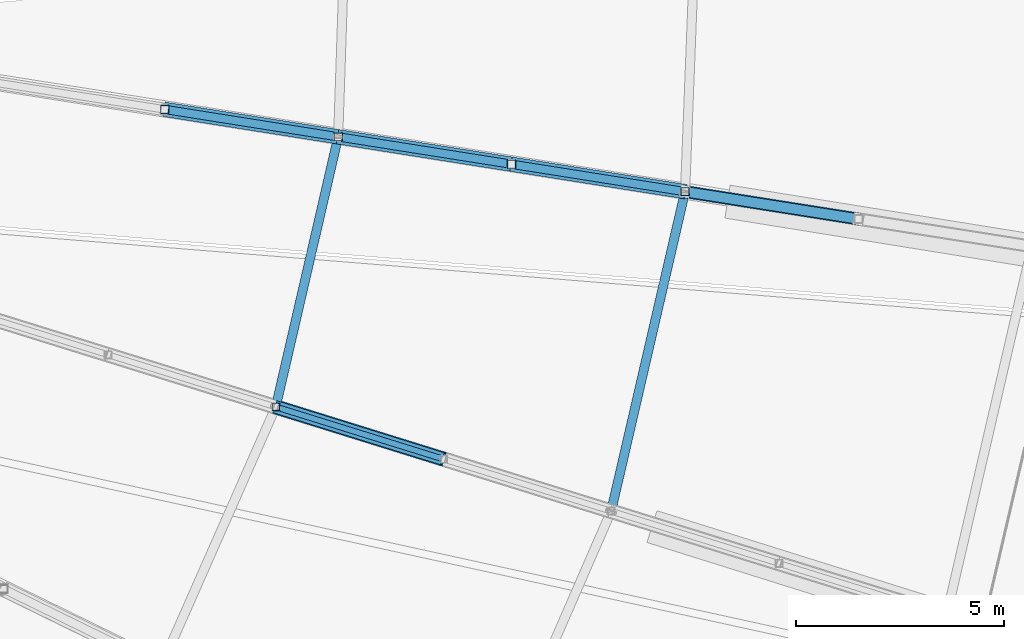
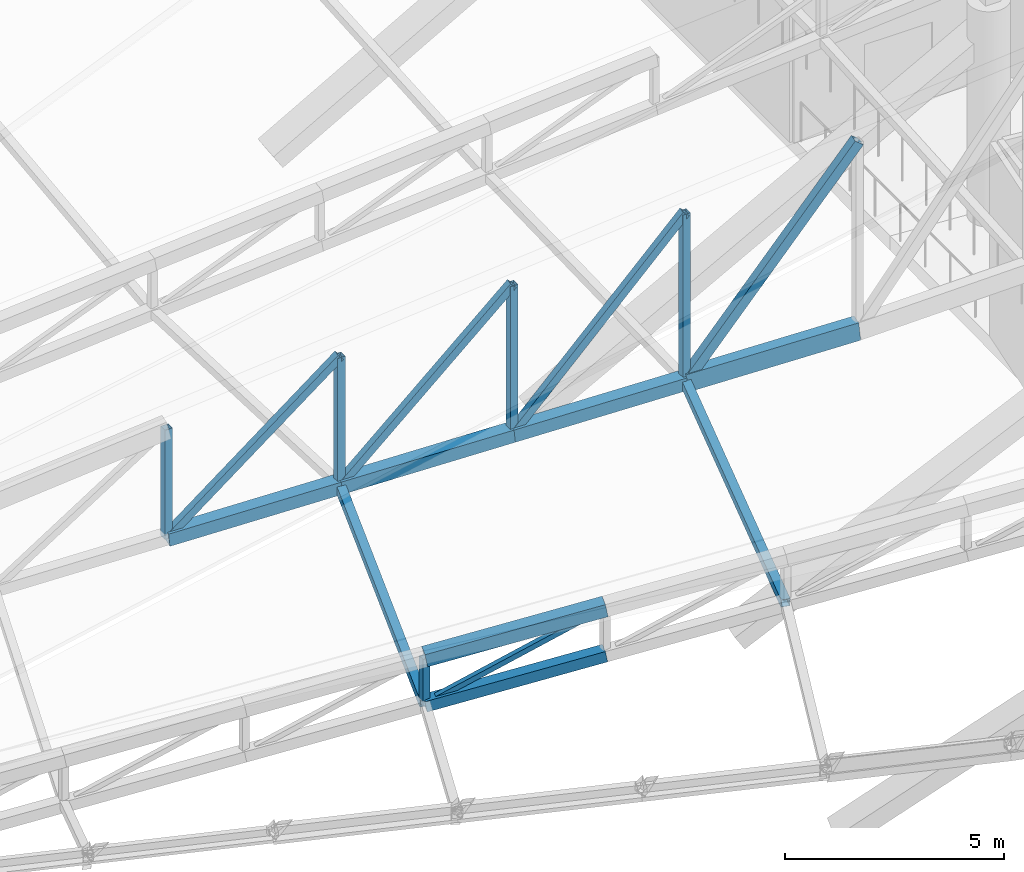
# One storey, part 91 of 344: 18 members.
"""IFC4 building model written with IfcOpenShell, lengths in metres."""

from ifc_helpers import new_model, si_unit, direction, frame, origin, origin_2d, place, context, subcontext, project, spatial, hollow_rectangle, extrude, material, material_profile, profile_set, type_object, element, save


model = new_model("IFC4")

# Units and contexts
model_context = context("Model", 3, precision=1e-05, world=origin(), true_north=direction((0.0, 1.0)))
body_context = subcontext(model_context, "Body", "Model", "MODEL_VIEW")
ifc_project = project(units=[si_unit("LENGTHUNIT", "METRE"), si_unit("AREAUNIT", "SQUARE_METRE"), si_unit("VOLUMEUNIT", "CUBIC_METRE"), si_unit("PLANEANGLEUNIT", "RADIAN"), si_unit("MASSUNIT", "GRAM", prefix="KILO")], contexts=[model_context])

# Site, building, storey
site_placement = place(None, origin())
site = spatial("IfcSite", under=ifc_project, at=site_placement, CompositionType="ELEMENT")
building_placement = place(site_placement, origin())
building = spatial("IfcBuilding", under=site, at=building_placement, Name="Meseta Stadium", CompositionType="ELEMENT")
storey_placement = place(building_placement, frame((0.0, 0.0, 24.0)))
storey = spatial("IfcBuildingStorey", under=building, at=storey_placement, Name="L04", CompositionType="ELEMENT", Elevation=24.0)

# Members
ifc_material_1 = material(Name="Steel S355", Category="steel")
ifc_material_profile_1 = material_profile(ifc_material_1, hollow_rectangle(XDim=0.300048828125, YDim=0.5, WallThickness=0.01611328125, at=origin_2d()), Name="RHS 500x300x16")
ifc_profile_set_1 = profile_set([ifc_material_profile_1], Name="Steel S355")
member_type_1 = type_object("IfcMemberType", Name="RHS 500x300x16 bottom chord", PredefinedType="CHORD", material=ifc_profile_set_1)
member_1_placement = place(storey_placement, frame((71.85205078125, -51.588134765625, 5.181884765625), z_axis=(0.98356338082, -0.155463126579, 0.091838402553), x_axis=(0.15612291387, 0.987737635086, 0.0)))
element("IfcMember", 1, at=member_1_placement, inside=storey, type_object=member_type_1, Name="ROOF TRUSS RT-00 bottom chord", PredefinedType="CHORD", context=body_context, shape_type="SweptSolid", body=[
    extrude(hollow_rectangle(XDim=0.300048828125, YDim=0.5, WallThickness=0.01611328125, at=origin_2d()), origin(), (0.0, 0.0, 1.0), 4.239990234375),
])
ifc_material_2 = material(Name="Steel S355", Category="steel")
ifc_material_profile_2 = material_profile(ifc_material_2, hollow_rectangle(XDim=0.139892578125, YDim=0.139892578125, WallThickness=0.0048828125, at=origin_2d()), Name="SHS 140x140x5")
ifc_profile_set_2 = profile_set([ifc_material_profile_2], Name="Steel S355")
member_type_2 = type_object("IfcMemberType", Name="SHS 140x140x5 diagonal", PredefinedType="BRACE", material=ifc_profile_set_2)
member_2_placement = place(storey_placement, frame((62.010498046875, -56.7646484375, 2.763916015625), z_axis=(0.859278691546, -0.267243269939, 0.436143514142), x_axis=(0.296977513201, 0.954884472935, 0.0)))
element("IfcMember", 2, at=member_2_placement, inside=storey, type_object=member_type_2, Name="ROOF TRUSS RT-55 diagonal", PredefinedType="BRACE", context=body_context, shape_type="SweptSolid", body=[
    extrude(hollow_rectangle(XDim=0.139892578125, YDim=0.139892578125, WallThickness=0.0048828125, at=origin_2d()), origin(), (0.0, 0.0, 1.0), 4.69189453125),
])
ifc_material_3 = material(Name="Steel S355", Category="steel")
ifc_material_profile_3 = material_profile(ifc_material_3, hollow_rectangle(XDim=0.179931640625, YDim=0.179931640625, WallThickness=0.00634765625, at=origin_2d()), Name="SHS 180x180x6.3")
ifc_profile_set_3 = profile_set([ifc_material_profile_3], Name="Steel S355")
member_type_3 = type_object("IfcMemberType", Name="SHS 180x180x6.3 post", PredefinedType="POST", material=ifc_profile_set_3)
member_3_placement = place(storey_placement, frame((62.010498046875, -56.7646484375, 2.763916015625), z_axis=(0.0, 0.0, 1.0), x_axis=(1.0, 0.0, 0.0)))
element("IfcMember", 3, at=member_3_placement, inside=storey, type_object=member_type_3, Name="ROOF TRUSS RT-55 post", PredefinedType="POST", context=body_context, shape_type="SweptSolid", body=[
    extrude(hollow_rectangle(XDim=0.179931640625, YDim=0.179931640625, WallThickness=0.00634765625, at=origin_2d()), origin(), (0.0, 0.0, 1.0), 1.300048828125),
])
ifc_material_4 = material(Name="Steel S355", Category="steel")
ifc_material_profile_4 = material_profile(ifc_material_4, hollow_rectangle(XDim=0.199951171875, YDim=0.199951171875, WallThickness=0.008056640625, at=origin_2d()), Name="SHS 200x200x8")
ifc_profile_set_4 = profile_set([ifc_material_profile_4], Name="Steel S355")
member_type_4 = type_object("IfcMemberType", Name="SHS 200x200x8 diagonal", PredefinedType="BRACE", material=ifc_profile_set_4)
member_4_placement = place(storey_placement, frame((59.340576171875, -49.61083984375, 4.013671875), z_axis=(0.718601373009, -0.113576286784, 0.686084902756), x_axis=(0.15611399753, 0.987739044371, 0.0)))
element("IfcMember", 4, at=member_4_placement, inside=storey, type_object=member_type_4, Name="ROOF TRUSS RT-00 diagonal", PredefinedType="BRACE", context=body_context, shape_type="SweptSolid", body=[
    extrude(hollow_rectangle(XDim=0.199951171875, YDim=0.199951171875, WallThickness=0.008056640625, at=origin_2d()), origin(), (0.0, 0.0, 1.0), 5.803955078125),
])
member_5_placement = place(storey_placement, frame((63.51123046875, -50.27001953125, 4.403076171875), z_axis=(0.673455972667, -0.106407778376, 0.731528835782), x_axis=(0.156066499211, 0.987746550398, 0.0)))
element("IfcMember", 5, at=member_5_placement, inside=storey, type_object=member_type_4, Name="ROOF TRUSS RT-00 diagonal", PredefinedType="BRACE", context=body_context, shape_type="SweptSolid", body=[
    extrude(hollow_rectangle(XDim=0.199951171875, YDim=0.199951171875, WallThickness=0.008056640625, at=origin_2d()), origin(), (0.0, 0.0, 1.0), 6.192626953125),
])
member_6_placement = place(storey_placement, frame((67.681640625, -50.928955078125, 4.79248046875), z_axis=(0.631487637343, -0.099813641308, 0.768934718225), x_axis=(0.15612291387, 0.987737635086, 0.0)))
element("IfcMember", 6, at=member_6_placement, inside=storey, type_object=member_type_4, Name="ROOF TRUSS RT-00 diagonal", PredefinedType="BRACE", context=body_context, shape_type="SweptSolid", body=[
    extrude(hollow_rectangle(XDim=0.199951171875, YDim=0.199951171875, WallThickness=0.008056640625, at=origin_2d()), origin(), (0.0, 0.0, 1.0), 6.60400390625),
])
ifc_material_5 = material(Name="Steel S355", Category="steel")
ifc_material_profile_5 = material_profile(ifc_material_5, hollow_rectangle(XDim=0.199951171875, YDim=0.199951171875, WallThickness=0.008056640625, at=origin_2d()), Name="SHS 200x200x8")
ifc_profile_set_5 = profile_set([ifc_material_profile_5], Name="Steel S355")
member_type_5 = type_object("IfcMemberType", Name="SHS 200x200x8 post", PredefinedType="POST", material=ifc_profile_set_5)
member_7_placement = place(storey_placement, frame((59.340576171875, -49.61083984375, 4.013671875), z_axis=(0.0, 0.0, 1.0), x_axis=(1.0, 0.0, 0.0)))
element("IfcMember", 7, at=member_7_placement, inside=storey, type_object=member_type_5, Name="ROOF TRUSS RT-00 post", PredefinedType="POST", context=body_context, shape_type="SweptSolid", body=[
    extrude(hollow_rectangle(XDim=0.199951171875, YDim=0.199951171875, WallThickness=0.008056640625, at=origin_2d()), origin(), (0.0, 0.0, 1.0), 3.04443359375),
])
member_8_placement = place(storey_placement, frame((63.51123046875, -50.27001953125, 4.403076171875), z_axis=(0.0, 0.0, 1.0), x_axis=(1.0, 0.0, 0.0)))
element("IfcMember", 8, at=member_8_placement, inside=storey, type_object=member_type_5, Name="ROOF TRUSS RT-00 post", PredefinedType="POST", context=body_context, shape_type="SweptSolid", body=[
    extrude(hollow_rectangle(XDim=0.199951171875, YDim=0.199951171875, WallThickness=0.008056640625, at=origin_2d()), origin(), (0.0, 0.0, 1.0), 3.592529296875),
])
member_9_placement = place(storey_placement, frame((67.681640625, -50.928955078125, 4.79248046875), z_axis=(0.0, 0.0, 1.0), x_axis=(1.0, 0.0, 0.0)))
element("IfcMember", 9, at=member_9_placement, inside=storey, type_object=member_type_5, Name="ROOF TRUSS RT-00 post", PredefinedType="POST", context=body_context, shape_type="SweptSolid", body=[
    extrude(hollow_rectangle(XDim=0.199951171875, YDim=0.199951171875, WallThickness=0.008056640625, at=origin_2d()), origin(), (0.0, 0.0, 1.0), 4.140625),
])
member_10_placement = place(storey_placement, frame((71.85205078125, -51.588134765625, 5.181884765625), z_axis=(0.0, 0.0, 1.0), x_axis=(1.0, 0.0, 0.0)))
element("IfcMember", 10, at=member_10_placement, inside=storey, type_object=member_type_5, Name="ROOF TRUSS RT-00 post", PredefinedType="POST", context=body_context, shape_type="SweptSolid", body=[
    extrude(hollow_rectangle(XDim=0.199951171875, YDim=0.199951171875, WallThickness=0.008056640625, at=origin_2d()), origin(), (0.0, 0.0, 1.0), 4.688720703125),
])
ifc_material_6 = material(Name="Steel S355", Category="steel")
ifc_material_profile_6 = material_profile(ifc_material_6, hollow_rectangle(XDim=0.219970703125, YDim=0.219970703125, WallThickness=0.008056640625, at=origin_2d()), Name="SHS 220x220x8")
ifc_profile_set_6 = profile_set([ifc_material_profile_6], Name="Steel S355")
member_type_6 = type_object("IfcMemberType", Name="SHS 220x220x8 strut", PredefinedType="STRUT", material=ifc_profile_set_6)
member_11_placement = place(storey_placement, frame((62.010498046875, -56.7646484375, 2.763916015625), z_axis=(0.218627147143, 0.946139477519, 0.238793340804), x_axis=(-0.974326339441, 0.225140365707, 0.0)))
element("IfcMember", 11, at=member_11_placement, inside=storey, type_object=member_type_6, Name="ROOF TRUSS STRUT RT-55/00", PredefinedType="STRUT", context=body_context, shape_type="SweptSolid", body=[
    extrude(hollow_rectangle(XDim=0.219970703125, YDim=0.219970703125, WallThickness=0.008056640625, at=origin_2d()), origin(), (0.0, 0.0, 1.0), 6.8642578125),
])
member_12_placement = place(storey_placement, frame((70.073974609375, -59.272216796875, 4.256591796875), z_axis=(0.223904903257, 0.967620887699, 0.116517861231), x_axis=(-0.974256944964, 0.225440469282, 0.0)))
element("IfcMember", 12, at=member_12_placement, inside=storey, type_object=member_type_6, Name="ROOF TRUSS STRUT RT-55/00", PredefinedType="STRUT", context=body_context, shape_type="SweptSolid", body=[
    extrude(hollow_rectangle(XDim=0.219970703125, YDim=0.219970703125, WallThickness=0.008056640625, at=origin_2d()), origin(), (0.0, 0.0, 1.0), 7.941162109375),
])
ifc_material_7 = material(Name="Steel S355", Category="steel")
ifc_material_profile_7 = material_profile(ifc_material_7, hollow_rectangle(XDim=0.25, YDim=0.25, WallThickness=0.010009765625, at=origin_2d()), Name="SHS 250x250x10")
ifc_profile_set_7 = profile_set([ifc_material_profile_7], Name="Steel S355")
member_type_7 = type_object("IfcMemberType", Name="SHS 250x250x10 diagonal", PredefinedType="BRACE", material=ifc_profile_set_7)
member_13_placement = place(storey_placement, frame((71.85205078125, -51.588134765625, 5.181884765625), z_axis=(0.59285243802, -0.093706918549, 0.799840609215), x_axis=(0.15612291387, 0.987737635086, 0.0)))
element("IfcMember", 13, at=member_13_placement, inside=storey, type_object=member_type_7, Name="ROOF TRUSS RT-00 diagonal", PredefinedType="BRACE", context=body_context, shape_type="SweptSolid", body=[
    extrude(hollow_rectangle(XDim=0.25, YDim=0.25, WallThickness=0.010009765625, at=origin_2d()), origin(), (0.0, 0.0, 1.0), 7.034423828125),
])
ifc_material_8 = material(Name="Steel S355", Category="steel")
ifc_material_profile_8 = material_profile(ifc_material_8, hollow_rectangle(XDim=0.300048828125, YDim=0.300048828125, WallThickness=0.010009765625, at=origin_2d()), Name="SHS 300x300x10")
ifc_profile_set_8 = profile_set([ifc_material_profile_8], Name="Steel S355")
member_type_8 = type_object("IfcMemberType", Name="SHS 300x300x10 bottom chord", PredefinedType="CHORD", material=ifc_profile_set_8)
member_14_placement = place(storey_placement, frame((62.010498046875, -56.7646484375, 2.763916015625), z_axis=(0.940307263038, -0.292443872046, 0.174065599074), x_axis=(0.296977513201, 0.954884472935, 0.0)))
element("IfcMember", 14, at=member_14_placement, inside=storey, type_object=member_type_8, Name="ROOF TRUSS RT-55 bottom chord", PredefinedType="CHORD", context=body_context, shape_type="SweptSolid", body=[
    extrude(hollow_rectangle(XDim=0.300048828125, YDim=0.300048828125, WallThickness=0.010009765625, at=origin_2d()), origin(), (0.0, 0.0, 1.0), 4.28759765625),
])
ifc_material_9 = material(Name="Steel S355", Category="steel")
ifc_material_profile_9 = material_profile(ifc_material_9, hollow_rectangle(XDim=0.35009765625, YDim=0.35009765625, WallThickness=0.010009765625, at=origin_2d()), Name="SHS 350x350x10")
ifc_profile_set_9 = profile_set([ifc_material_profile_9], Name="Steel S355")
member_type_9 = type_object("IfcMemberType", Name="SHS 350x350x10 top chord", PredefinedType="CHORD", material=ifc_profile_set_9)
member_15_placement = place(storey_placement, frame((62.010498046875, -56.7646484375, 4.06396484375), z_axis=(0.940307263038, -0.292443872046, 0.174065599074), x_axis=(0.296977513201, 0.954884472935, 0.0)))
element("IfcMember", 15, at=member_15_placement, inside=storey, type_object=member_type_9, Name="ROOF TRUSS RT-55 top chord", PredefinedType="CHORD", context=body_context, shape_type="SweptSolid", body=[
    extrude(hollow_rectangle(XDim=0.35009765625, YDim=0.35009765625, WallThickness=0.010009765625, at=origin_2d()), origin(), (0.0, 0.0, 1.0), 4.28759765625),
])
ifc_material_10 = material(Name="Steel S355", Category="steel")
ifc_material_profile_10 = material_profile(ifc_material_10, hollow_rectangle(XDim=0.35009765625, YDim=0.35009765625, WallThickness=0.01416015625, at=origin_2d()), Name="SHS 350x350x14.2")
ifc_profile_set_10 = profile_set([ifc_material_profile_10], Name="Steel S355")
member_type_10 = type_object("IfcMemberType", Name="SHS 350x350x14.2 bottom chord", PredefinedType="CHORD", material=ifc_profile_set_10)
member_16_placement = place(storey_placement, frame((59.340576171875, -49.61083984375, 4.013671875), z_axis=(0.983565257911, -0.155454322798, 0.091833201801), x_axis=(0.15611399753, 0.987739044371, 0.0)))
element("IfcMember", 16, at=member_16_placement, inside=storey, type_object=member_type_10, Name="ROOF TRUSS RT-00 bottom chord", PredefinedType="CHORD", context=body_context, shape_type="SweptSolid", body=[
    extrude(hollow_rectangle(XDim=0.35009765625, YDim=0.35009765625, WallThickness=0.01416015625, at=origin_2d()), origin(), (0.0, 0.0, 1.0), 4.240234375),
])
for number, where, z_axis, x_axis, name in (
    (17, (63.51123046875, -50.27001953125, 4.403076171875), (0.983572183579, -0.155406938501, 0.091839224494), (0.156066499211, 0.987746550398, 0.0), "ROOF TRUSS RT-00 bottom chord"),
    (18, (67.681640625, -50.928955078125, 4.79248046875), (0.98356338082, -0.155463126579, 0.091838402553), (0.15612291387, 0.987737635086, 0.0), "ROOF TRUSS RT-00 bottom chord"),
):
    element("IfcMember", number, at=place(storey_placement, frame(where, z_axis=z_axis, x_axis=x_axis)), inside=storey, type_object=member_type_10, Name=name, PredefinedType="CHORD", context=body_context, shape_type="SweptSolid", body=[
        extrude(hollow_rectangle(XDim=0.35009765625, YDim=0.35009765625, WallThickness=0.01416015625, at=origin_2d()), origin(), (0.0, 0.0, 1.0), 4.239990234375),
    ])

save(model, "model.ifc")
